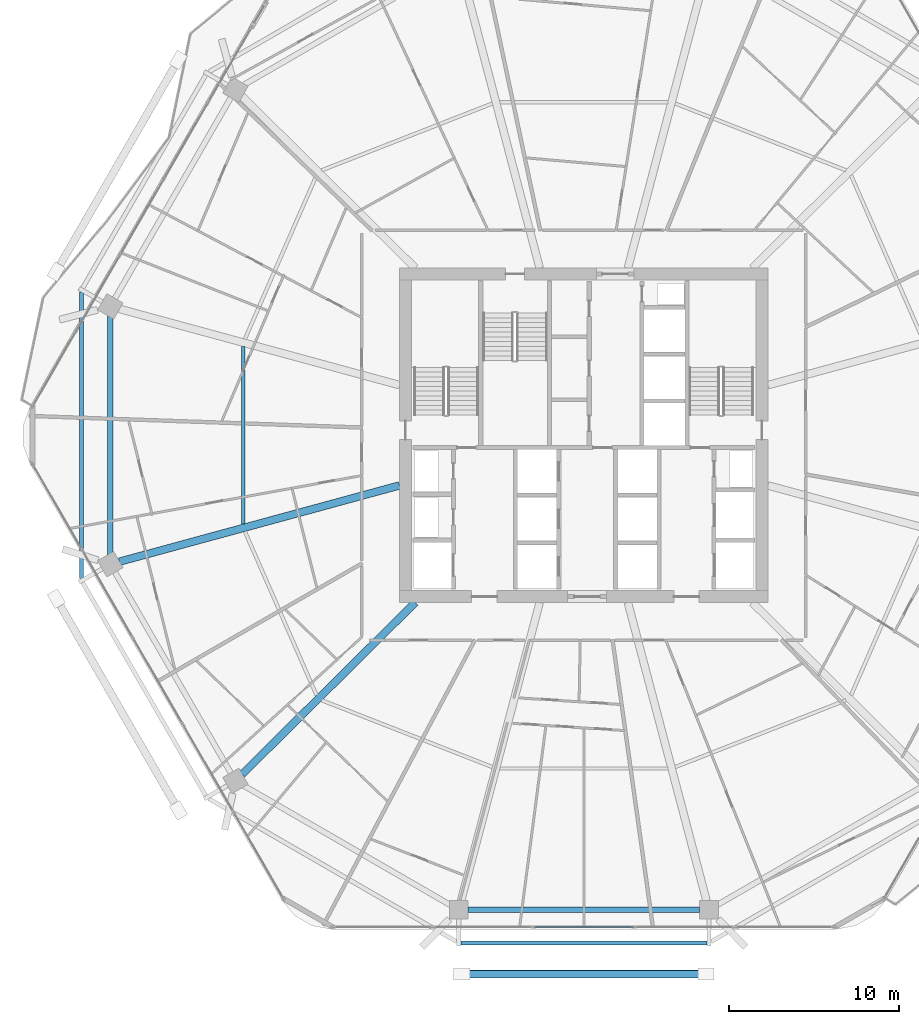
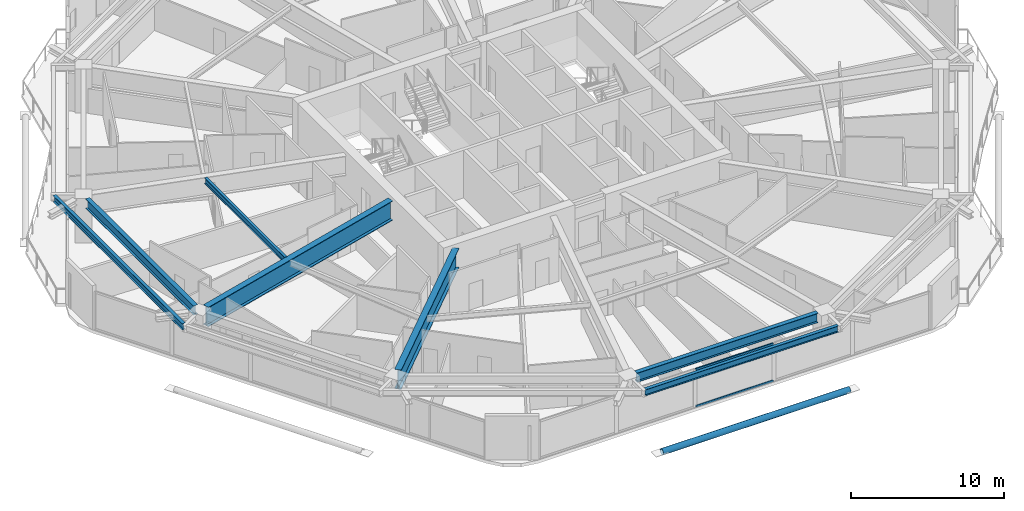
# One storey, part 6 of 33: 7 beams, 3 members, 1 element without a shape of its own.
"""IFC4 building model written with IfcOpenShell, lengths in metres."""

from ifc_helpers import new_model, si_unit, direction, frame, origin, origin_2d, place, context, subcontext, project, spatial, hollow_rectangle, hollow_circle, i_section, extrude, material, material_profile, profile_set, type_object, element, aggregate, save


model = new_model("IFC4")

# Units and contexts
model_context = context("Model", 3, precision=1e-05, world=origin(), true_north=direction((0.0, 1.0)))
body_context = subcontext(model_context, "Body", "Model", "MODEL_VIEW")
ifc_project = project(units=[si_unit("LENGTHUNIT", "METRE"), si_unit("AREAUNIT", "SQUARE_METRE"), si_unit("VOLUMEUNIT", "CUBIC_METRE"), si_unit("PLANEANGLEUNIT", "RADIAN"), si_unit("MASSUNIT", "GRAM", prefix="KILO")], contexts=[model_context])

# Site, building, storey
site_placement = place(None, origin())
site = spatial("IfcSite", under=ifc_project, at=site_placement, CompositionType="ELEMENT")
building_placement = place(site_placement, origin())
building = spatial("IfcBuilding", under=site, at=building_placement, Name="Zuhravey Tower", CompositionType="ELEMENT")
storey_placement = place(building_placement, frame((0.0, 0.0, 141.800048828125)))
storey = spatial("IfcBuildingStorey", under=building, at=storey_placement, Name="L35", CompositionType="ELEMENT", Elevation=141.800048828125)

# Curtain wall, members
ifc_material_1 = material(Name="Thermally broken anodised aluminium", Category="aluminium")
curtain_wall_type = type_object("IfcCurtainWallType", Name="Zone 1-2 Residential Curtain Wall CW3", PredefinedType="NOTDEFINED", material=ifc_material_1)
curtain_wall_placement = place(storey_placement, origin())
curtain_wall = element("IfcCurtainWall", 1, at=curtain_wall_placement, inside=storey, type_object=curtain_wall_type, Name="L35 CW3 CW-L35-F5-1", PredefinedType="NOTDEFINED")
ifc_material_2 = material(Name="Anodised aluminium", Category="aluminium")
ifc_material_profile_1 = material_profile(ifc_material_2, hollow_rectangle(XDim=0.090087890625, YDim=0.14990234375, WallThickness=0.0048828125, at=origin_2d()), Name="ALU-RHS-90x150x5")
ifc_profile_set_1 = profile_set([ifc_material_profile_1], Name="Anodised aluminium")
member_type_1 = type_object("IfcMemberType", Name="Curtain-Wall Transom 90x150", PredefinedType="USERDEFINED", material=ifc_profile_set_1)
member_1_placement = place(storey_placement, frame((38.914794921875, 3.04150390625, 0.044921875), z_axis=(-1.0, 0.0, 0.0), x_axis=(0.0, -1.0, 0.0)))
member_1 = element("IfcMember", 2, at=member_1_placement, type_object=member_type_1, Name="CW3 transom 3.1", ObjectType="TRANSOM", PredefinedType="USERDEFINED", context=body_context, shape_type="SweptSolid", body=[
    extrude(hollow_rectangle(XDim=0.090087890625, YDim=0.14990234375, WallThickness=0.0048828125, at=origin_2d()), origin(), (0.0, 0.0, 1.0), 5.82958984375),
])
member_2_placement = place(storey_placement, frame((38.914794921875, 3.04150390625, 2.974853515625), z_axis=(-1.0, 0.0, 0.0), x_axis=(0.0, -1.0, 0.0)))
member_2 = element("IfcMember", 3, at=member_2_placement, type_object=member_type_1, Name="CW3 transom 3.2", ObjectType="TRANSOM", PredefinedType="USERDEFINED", context=body_context, shape_type="SweptSolid", body=[
    extrude(hollow_rectangle(XDim=0.090087890625, YDim=0.14990234375, WallThickness=0.0048828125, at=origin_2d()), origin(), (0.0, 0.0, 1.0), 5.82958984375),
])
aggregate(curtain_wall, [member_1, member_2])

# Member
ifc_material_3 = material(Name="Steel SM355", Category="steel")
ifc_material_profile_2 = material_profile(ifc_material_3, hollow_circle(Radius=0.228515625, WallThickness=0.02197265625, at=origin_2d()), Name="CHS-457.2x22")
ifc_profile_set_2 = profile_set([ifc_material_profile_2], Name="Steel SM355")
member_type_2 = type_object("IfcMemberType", Name="Exoskeleton Ring Tie CHS457x22", PredefinedType="CHORD", material=ifc_profile_set_2)
member_3_placement = place(storey_placement, frame((28.946044921875, 0.2666015625, -0.464111328125), z_axis=(1.0, 0.0, 0.0), x_axis=(0.0, 1.0, 0.0)))
element("IfcMember", 4, at=member_3_placement, inside=storey, type_object=member_type_2, Name="L35 Exoskeleton Face 5 Tie EXR1", PredefinedType="CHORD", context=body_context, shape_type="SweptSolid", body=[
    extrude(hollow_circle(Radius=0.228515625, WallThickness=0.02197265625, at=origin_2d()), origin(), (0.0, 0.0, 1.0), 14.10791015625),
])

# Beams
ifc_material_4 = material(Name="Steel SM460", Category="steel")
ifc_material_profile_3 = material_profile(ifc_material_4, i_section(OverallWidth=0.449951171875, OverallDepth=1.550048828125, WebThickness=0.02587890625, FlangeThickness=0.0419921875, at=origin_2d()), Name="H-1550x450x26x42")
ifc_profile_set_3 = profile_set([ifc_material_profile_3], Name="Steel SM460")
beam_type_1 = type_object("IfcBeamType", Name="Heavy Setback Transfer Girder H1550x450", PredefinedType="BEAM", material=ifc_profile_set_3)
beam_1_placement = place(storey_placement, frame((25.14697265625, 29.045654296875, 2.744873046875), z_axis=(-0.964893166225, -0.262642680791, 0.0), x_axis=(0.262642680791, -0.964893166225, 0.0)))
element("IfcBeam", 5, at=beam_1_placement, inside=storey, type_object=beam_type_1, Name="L35 TG3 BM-L35-RAD-07", PredefinedType="BEAM", context=body_context, shape_type="SweptSolid", body=[
    extrude(i_section(OverallWidth=0.449951171875, OverallDepth=1.550048828125, WebThickness=0.02587890625, FlangeThickness=0.0419921875, at=origin_2d()), origin(), (0.0, 0.0, 1.0), 17.102783203125),
])
beam_2_placement = place(storey_placement, frame((26.068603515625, 22.14697265625, 2.744873046875), z_axis=(-0.709906230344, -0.704296204816, 0.0), x_axis=(0.704296204816, -0.709906230344, 0.0)))
element("IfcBeam", 6, at=beam_2_placement, inside=storey, type_object=beam_type_1, Name="L35 TG3 BM-L35-RAD-08", PredefinedType="BEAM", context=body_context, shape_type="SweptSolid", body=[
    extrude(i_section(OverallWidth=0.449951171875, OverallDepth=1.550048828125, WebThickness=0.02587890625, FlangeThickness=0.0419921875, at=origin_2d()), origin(), (0.0, 0.0, 1.0), 14.361083984375),
])
ifc_material_profile_4 = material_profile(ifc_material_3, i_section(OverallWidth=0.320068359375, OverallDepth=0.75, WebThickness=0.013916015625, FlangeThickness=0.02490234375, at=origin_2d()), Name="H-750x320x14x25")
ifc_profile_set_4 = profile_set([ifc_material_profile_4], Name="Steel SM355")
beam_type_2 = type_object("IfcBeamType", Name="Perimeter Ring Beam H750x320", PredefinedType="BEAM", material=ifc_profile_set_4)
beam_3_placement = place(storey_placement, frame((8.11083984375, 39.03857421875, 3.14501953125), z_axis=(0.0, -1.0, 0.0), x_axis=(1.0, 0.0, 0.0)))
element("IfcBeam", 7, at=beam_3_placement, inside=storey, type_object=beam_type_2, Name="L35 PB1 BM-L35-PB-06", PredefinedType="BEAM", context=body_context, shape_type="SweptSolid", body=[
    extrude(i_section(OverallWidth=0.320068359375, OverallDepth=0.75, WebThickness=0.013916015625, FlangeThickness=0.02490234375, at=origin_2d()), origin(), (0.0, 0.0, 1.0), 14.0771484375),
])
beam_4_placement = place(storey_placement, frame((29.18310546875, 4.051513671875, 3.14501953125), z_axis=(1.0, 0.0, 0.0), x_axis=(0.0, 1.0, 0.0)))
element("IfcBeam", 8, at=beam_4_placement, inside=storey, type_object=beam_type_2, Name="L35 PB1 BM-L35-PB-09", PredefinedType="BEAM", context=body_context, shape_type="SweptSolid", body=[
    extrude(i_section(OverallWidth=0.320068359375, OverallDepth=0.75, WebThickness=0.013916015625, FlangeThickness=0.02490234375, at=origin_2d()), origin(), (0.0, 0.0, 1.0), 13.6337890625),
])
ifc_material_profile_5 = material_profile(ifc_material_3, i_section(OverallWidth=0.199951171875, OverallDepth=0.449951171875, WebThickness=0.009033203125, FlangeThickness=0.013916015625, at=origin_2d()), Name="H-450x200x9x14")
ifc_profile_set_5 = profile_set([ifc_material_profile_5], Name="Steel SM355")
beam_type_3 = type_object("IfcBeamType", Name="Secondary Floor Joist H450x200", PredefinedType="JOIST", material=ifc_profile_set_5)
beam_5_placement = place(storey_placement, frame((15.947509765625, 37.2294921875, 3.294921875), z_axis=(0.0, -1.0, 0.0), x_axis=(1.0, 0.0, 0.0)))
element("IfcBeam", 9, at=beam_5_placement, inside=storey, type_object=beam_type_3, Name="L35 SJ1 BM-L35-SJ-06-1", PredefinedType="JOIST", context=body_context, shape_type="SweptSolid", body=[
    extrude(i_section(OverallWidth=0.199951171875, OverallDepth=0.449951171875, WebThickness=0.009033203125, FlangeThickness=0.013916015625, at=origin_2d()), origin(), (0.0, 0.0, 1.0), 10.458984375),
])
ifc_material_profile_6 = material_profile(ifc_material_3, i_section(OverallWidth=0.25, OverallDepth=0.5, WebThickness=0.010009765625, FlangeThickness=0.01611328125, at=origin_2d()), Name="H-500x250x10x16")
ifc_profile_set_6 = profile_set([ifc_material_profile_6], Name="Steel SM355")
beam_type_4 = type_object("IfcBeamType", Name="Tray Cantilever Spandrel H500x250", PredefinedType="SPANDREL", material=ifc_profile_set_6)
beam_6_placement = place(storey_placement, frame((6.422119140625, 40.426513671875, 3.27001953125), z_axis=(0.0, -1.0, 0.0), x_axis=(1.0, 0.0, 0.0)))
element("IfcBeam", 10, at=beam_6_placement, inside=storey, type_object=beam_type_4, Name="L35 Sky-Tray Edge Spandrel TSB1-06", PredefinedType="SPANDREL", context=body_context, shape_type="SweptSolid", body=[
    extrude(i_section(OverallWidth=0.25, OverallDepth=0.5, WebThickness=0.010009765625, FlangeThickness=0.01611328125, at=origin_2d()), origin(), (0.0, 0.0, 1.0), 16.85302734375),
])
beam_7_placement = place(storey_placement, frame((28.7529296875, 2.1015625, 3.27001953125), z_axis=(1.0, 0.0, 0.0), x_axis=(0.0, 1.0, 0.0)))
element("IfcBeam", 11, at=beam_7_placement, inside=storey, type_object=beam_type_4, Name="L35 Sky-Tray Edge Spandrel TSB1-09", PredefinedType="SPANDREL", context=body_context, shape_type="SweptSolid", body=[
    extrude(i_section(OverallWidth=0.25, OverallDepth=0.5, WebThickness=0.010009765625, FlangeThickness=0.01611328125, at=origin_2d()), origin(), (0.0, 0.0, 1.0), 14.494140625),
])

save(model, "model.ifc")
